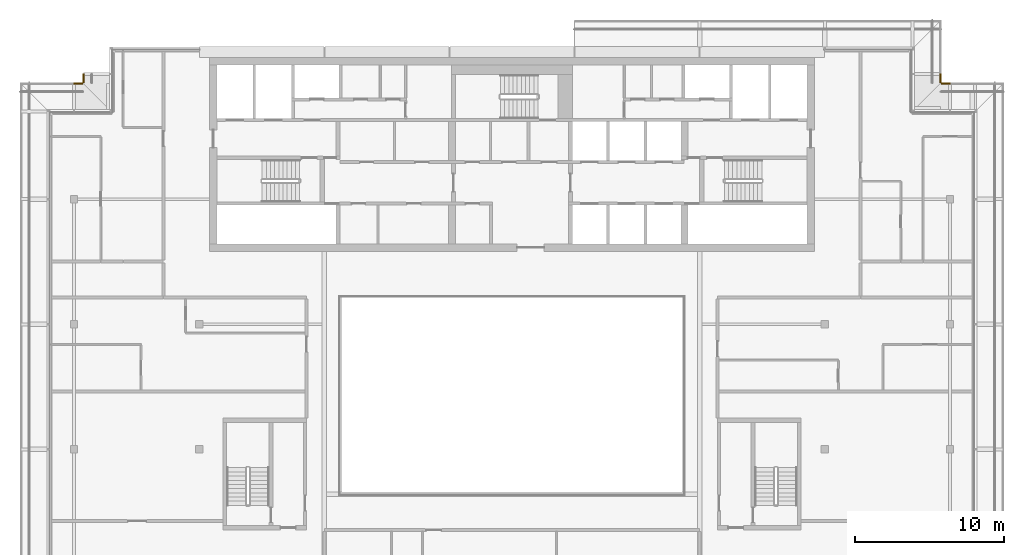
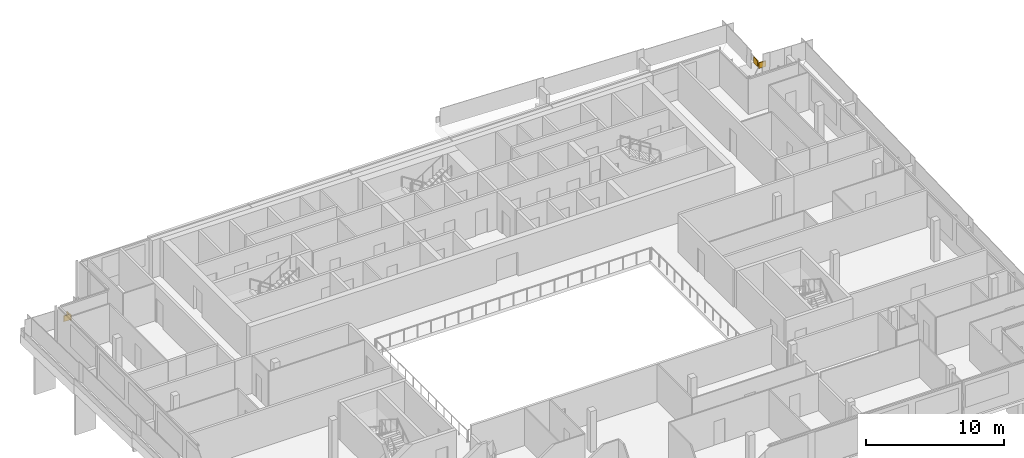
# One storey, part 27 of 27: 4 coverings.
"""IFC4 building model written with IfcOpenShell, lengths in metres."""

from ifc_helpers import new_model, si_unit, direction, frame, origin, place, context, subcontext, project, spatial, polyline, outline, extrude, material, layer, layer_set, type_object, element, save


model = new_model("IFC4")

# Units and contexts
model_context = context("Model", 3, precision=1e-05, world=origin(), true_north=direction((0.0, 1.0)))
body_context = subcontext(model_context, "Body", "Model", "MODEL_VIEW")
ifc_project = project(units=[si_unit("LENGTHUNIT", "METRE"), si_unit("AREAUNIT", "SQUARE_METRE"), si_unit("VOLUMEUNIT", "CUBIC_METRE"), si_unit("PLANEANGLEUNIT", "RADIAN"), si_unit("MASSUNIT", "GRAM", prefix="KILO")], contexts=[model_context])

# Site, building, storey
site_placement = place(None, origin())
site = spatial("IfcSite", under=ifc_project, at=site_placement, CompositionType="ELEMENT")
building_placement = place(site_placement, origin())
building = spatial("IfcBuilding", under=site, at=building_placement, Name="Saffron Gate Tower", CompositionType="ELEMENT")
storey_placement = place(building_placement, frame((0.0, 0.0, 274.35009765625)))
storey = spatial("IfcBuildingStorey", under=building, at=storey_placement, Name="L66", CompositionType="ELEMENT", Elevation=274.35009765625)

# Coverings
ifc_material = material(Name="Timber, thermally modified ash", Category="wood")
ifc_layer = layer(ifc_material, 0.080078125)
ifc_layer_set = layer_set([ifc_layer], Name="LD2 ledge planter trough")
covering_type = type_object("IfcCoveringType", Name="LD2 ledge planter trough", PredefinedType="CLADDING", material=ifc_layer_set)
covering_placement = place(storey_placement, frame((117.0, 73.199951171875, 2.20947265625), z_axis=(0.0, 1.0, 0.0), x_axis=(-0.999594735783, 0.0, 0.028466896463)))
element("IfcCovering", 1, at=covering_placement, inside=storey, type_object=covering_type, Name="LEDGE planter trough", PredefinedType="CLADDING", context=body_context, shape_type="SweptSolid", body=[
    extrude(outline(polyline([(0.0, 0.0), (0.6003409529560203, 0.0), (0.6145744011872722, 0.499797367891677), (0.014233448231251987, 0.49979736789167695), (0.0, 0.0)])), origin(), (0.0, 0.0, -1.0), 0.080078125),
])
for number, where, z_axis, x_axis, name in (
    (2, (116.39990234375, 73.199951171875, 2.37744140625), (1.0, 0.0, 0.0), (0.0, 0.999583081391, 0.028873229772), "LEDGE planter trough"),
    (3, (58.800048828125, 73.800048828125, 0.00146484375), (-1.0, 0.0, 0.0), (0.0, -0.999583081391, 0.028873229772), "LEDGE planter trough"),
    (4, (58.800048828125, 73.199951171875, 0.169677734375), (0.0, 1.0, 0.0), (-0.999583081391, 0.0, 0.028873229772), "LEDGE planter trough"),
):
    element("IfcCovering", number, at=place(storey_placement, frame(where, z_axis=z_axis, x_axis=x_axis)), inside=storey, type_object=covering_type, Name=name, PredefinedType="CLADDING", context=body_context, shape_type="SweptSolid", body=[
        extrude(outline(polyline([(0.0, 0.0), (0.6003479524834376, -3.469446951953614e-18), (0.6147845673692678, 0.4997915406953566), (0.014436614885830073, 0.4997915406953566), (0.0, 0.0)])), origin(), (0.0, 0.0, -1.0), 0.080078125),
    ])

save(model, "model.ifc")
